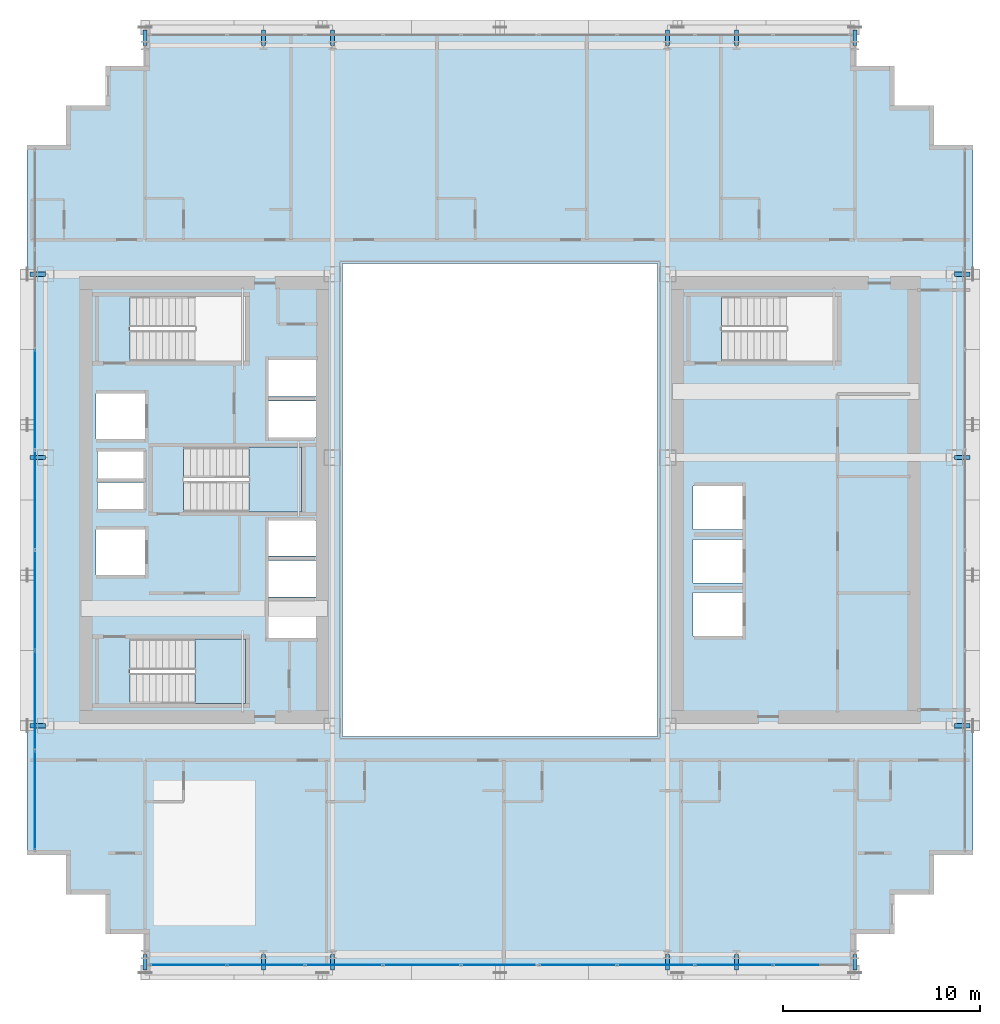
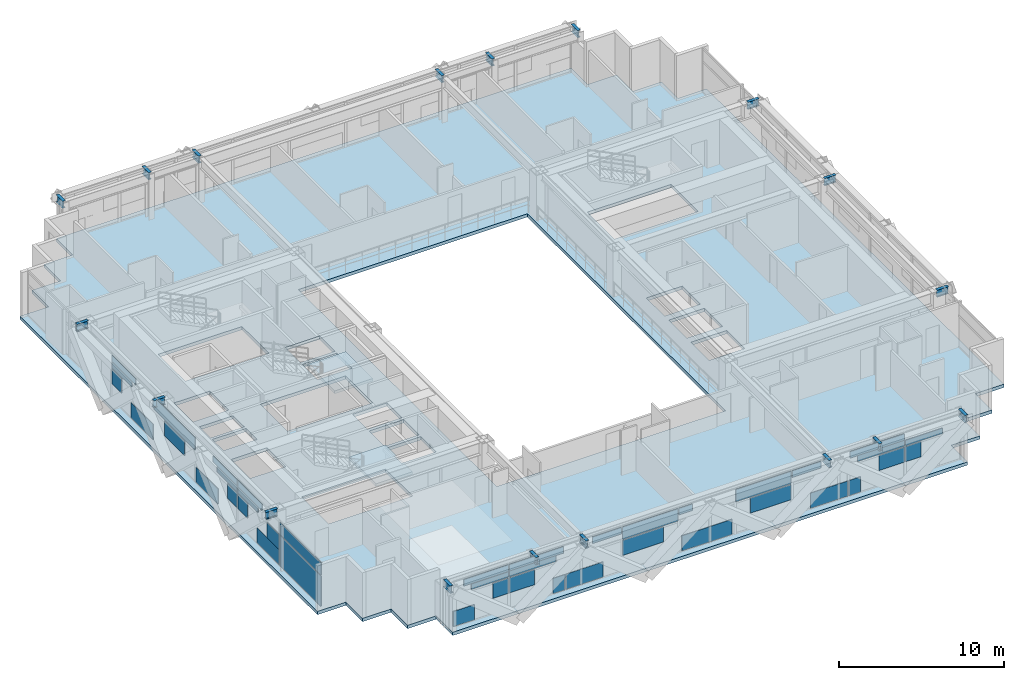
# One storey, part 23 of 35: 41 plates, 18 beams, 3 slabs, 4 elements without a shape of their own.
"""IFC4 building model written with IfcOpenShell, lengths in metres."""

from ifc_helpers import new_model, si_unit, direction, frame, origin, origin_2d, place, context, subcontext, project, spatial, polyline, rectangle, i_section, outline, extrude, source, transform, mapped, material, layer, layer_set, material_profile, profile_set, type_object, element, aggregate, save


model = new_model("IFC4")

# Units and contexts
model_context = context("Model", 3, precision=1e-05, world=origin(), true_north=direction((0.0, 1.0)))
body_context = subcontext(model_context, "Body", "Model", "MODEL_VIEW")
ifc_project = project(units=[si_unit("LENGTHUNIT", "METRE"), si_unit("AREAUNIT", "SQUARE_METRE"), si_unit("VOLUMEUNIT", "CUBIC_METRE"), si_unit("PLANEANGLEUNIT", "RADIAN"), si_unit("MASSUNIT", "GRAM", prefix="KILO")], contexts=[model_context])

# Site, building, storey
site_placement = place(None, origin())
site = spatial("IfcSite", under=ifc_project, at=site_placement, CompositionType="ELEMENT")
building_placement = place(site_placement, origin())
building = spatial("IfcBuilding", under=site, at=building_placement, Name="Ocotamira Hotel", CompositionType="ELEMENT")
storey_placement = place(building_placement, frame((0.0, 0.0, 115.199951171875)))
storey = spatial("IfcBuildingStorey", under=building, at=storey_placement, Name="L28", CompositionType="ELEMENT", Elevation=115.199951171875)

# Beams
ifc_material_1 = material(Name="Steel ASTM A992 Grade 50", Category="steel")
ifc_material_profile = material_profile(ifc_material_1, i_section(OverallWidth=0.2099609375, OverallDepth=0.537109375, WebThickness=0.010986328125, FlangeThickness=0.017333984375, FilletRadius=0.012939453125, at=origin_2d()), Name="W21X68")
ifc_profile_set = profile_set([ifc_material_profile], Name="Steel ASTM A992 Grade 50")
beam_type = type_object("IfcBeamType", Name="BM-SEC-W21X68", PredefinedType="JOIST", material=ifc_profile_set)
shared_shape_1 = source(origin(), body_context, "Body", "SweptSolid", [
    extrude(i_section(OverallWidth=0.2099609375, OverallDepth=0.537109375, WebThickness=0.010986328125, FlangeThickness=0.017333984375, FilletRadius=0.012939453125, at=origin_2d()), origin(), (0.0, 0.0, 1.0), 0.800048828125),
])
for number, where, z_axis, x_axis, name in (
    (1, (14.0, 2.949951171875, 3.091552734375), (0.0, -1.0, 0.0), (1.0, 0.0, 0.0), "L28 South Edge Header X14"),
    (2, (14.0, 49.050048828125, 3.091552734375), (0.0, 1.0, 0.0), (-1.0, 0.0, 0.0), "L28 North Edge Header X14"),
    (3, (20.0, 2.949951171875, 3.091552734375), (0.0, -1.0, 0.0), (1.0, 0.0, 0.0), "L28 South Edge Header X20"),
    (4, (20.0, 49.050048828125, 3.091552734375), (0.0, 1.0, 0.0), (-1.0, 0.0, 0.0), "L28 North Edge Header X20"),
    (5, (23.5, 2.949951171875, 3.091552734375), (0.0, -1.0, 0.0), (1.0, 0.0, 0.0), "L28 South Edge Header X23.5"),
    (6, (23.5, 49.050048828125, 3.091552734375), (0.0, 1.0, 0.0), (-1.0, 0.0, 0.0), "L28 North Edge Header X23.5"),
    (7, (40.5, 2.949951171875, 3.091552734375), (0.0, -1.0, 0.0), (1.0, 0.0, 0.0), "L28 South Edge Header X40.5"),
    (8, (40.5, 49.050048828125, 3.091552734375), (0.0, 1.0, 0.0), (-1.0, 0.0, 0.0), "L28 North Edge Header X40.5"),
    (9, (44.0, 2.949951171875, 3.091552734375), (0.0, -1.0, 0.0), (1.0, 0.0, 0.0), "L28 South Edge Header X44"),
    (10, (44.0, 49.050048828125, 3.091552734375), (0.0, 1.0, 0.0), (-1.0, 0.0, 0.0), "L28 North Edge Header X44"),
    (11, (50.0, 2.949951171875, 3.091552734375), (0.0, -1.0, 0.0), (1.0, 0.0, 0.0), "L28 South Edge Header X50"),
    (12, (50.0, 49.050048828125, 3.091552734375), (0.0, 1.0, 0.0), (-1.0, 0.0, 0.0), "L28 North Edge Header X50"),
    (13, (8.949951171875, 14.550048828125, 3.091552734375), (-1.0, 0.0, 0.0), (0.0, -1.0, 0.0), "L28 West Edge Header Y14.55"),
    (14, (55.050048828125, 14.550048828125, 3.091552734375), (1.0, 0.0, 0.0), (0.0, 1.0, 0.0), "L28 East Edge Header Y14.55"),
    (15, (8.949951171875, 28.14990234375, 3.091552734375), (-1.0, 0.0, 0.0), (0.0, -1.0, 0.0), "L28 West Edge Header Y28.15"),
    (16, (55.050048828125, 28.14990234375, 3.091552734375), (1.0, 0.0, 0.0), (0.0, 1.0, 0.0), "L28 East Edge Header Y28.15"),
    (17, (8.949951171875, 37.449951171875, 3.091552734375), (-1.0, 0.0, 0.0), (0.0, -1.0, 0.0), "L28 West Edge Header Y37.45"),
    (18, (55.050048828125, 37.449951171875, 3.091552734375), (1.0, 0.0, 0.0), (0.0, 1.0, 0.0), "L28 East Edge Header Y37.45"),
):
    element("IfcBeam", number, at=place(storey_placement, frame(where, z_axis=z_axis, x_axis=x_axis)), inside=storey, type_object=beam_type, Name=name, PredefinedType="JOIST", context=body_context, shape_type="MappedRepresentation", body=[
        mapped(shared_shape_1, transform((0.0, 0.0, 0.0), scale=1.0)),
    ])

# Stair, slab
ifc_material_2 = material(Name="Concrete C40/50", Category="concrete")
stair_type = type_object("IfcStairType", Name="ST-CORE-1560", PredefinedType="HALF_TURN_STAIR", material=ifc_material_2)
stair_1_placement = place(storey_placement, origin())
stair_1 = element("IfcStair", 19, at=stair_1_placement, inside=storey, type_object=stair_type, Name="L28 Exit Stair ST-1", PredefinedType="HALF_TURN_STAIR")
ifc_layer_1 = layer(ifc_material_2, 0.199951171875)
ifc_layer_set_1 = layer_set([ifc_layer_1], Name="Concrete C40/50")
slab_type_1 = type_object("IfcSlabType", Name="SLB-LAND-200", PredefinedType="LANDING", material=ifc_layer_set_1)
slab_1_placement = place(storey_placement, frame((0.0, 0.0, 1.60009765625)))
slab_1 = element("IfcSlab", 20, at=slab_1_placement, type_object=slab_type_1, Name="ST-1 landing 1", PredefinedType="LANDING", context=body_context, shape_type="SweptSolid", body=[
    extrude(outline(polyline([(16.530029296875, 15.669921875), (19.090087890625, 15.669921875), (19.090087890625, 18.949951171875), (16.530029296875, 18.949951171875), (16.530029296875, 15.669921875)])), origin(), (0.0, 0.0, 1.0), 0.199951171875),
])
aggregate(stair_1, [slab_1])

stair_2_placement = place(storey_placement, origin())
stair_2 = element("IfcStair", 21, at=stair_2_placement, inside=storey, type_object=stair_type, Name="L28 Exit Stair ST-3", PredefinedType="HALF_TURN_STAIR")
slab_2_placement = place(storey_placement, frame((0.0, 0.0, 1.60009765625)))
slab_2 = element("IfcSlab", 22, at=slab_2_placement, type_object=slab_type_1, Name="ST-3 landing 1", PredefinedType="LANDING", context=body_context, shape_type="SweptSolid", body=[
    extrude(outline(polyline([(19.260009765625, 25.39990234375), (21.919921875, 25.39990234375), (21.919921875, 28.679931640625), (19.260009765625, 28.679931640625), (19.260009765625, 25.39990234375)])), origin(), (0.0, 0.0, 1.0), 0.199951171875),
])
aggregate(stair_2, [slab_2])

# Slab
ifc_layer_2 = layer(ifc_material_2, 0.239990234375)
ifc_layer_set_2 = layer_set([ifc_layer_2], Name="Concrete C40/50")
slab_type_2 = type_object("IfcSlabType", Name="SLB-TYP-240", PredefinedType="FLOOR", material=ifc_layer_set_2)
slab_3_placement = place(storey_placement, frame((0.0, 0.0, -0.239990234375)))
element("IfcSlab", 23, at=slab_3_placement, inside=storey, type_object=slab_type_2, Name="L28 Structural Floor Slab", PredefinedType="FLOOR", context=body_context, shape_type="SweptSolid", body=[
    extrude(outline(polyline([(14.0, 2.0), (50.0, 2.0), (50.0, 4.0), (52.0, 4.0), (52.0, 6.0), (54.0, 6.0), (54.0, 8.0), (56.0, 8.0), (56.0, 44.0), (54.0, 44.0), (54.0, 46.0), (52.0, 46.0), (52.0, 48.0), (50.0, 48.0), (50.0, 50.0), (14.0, 50.0), (14.0, 48.0), (12.0, 48.0), (12.0, 46.0), (10.0, 46.0), (10.0, 44.0), (8.0, 44.0), (8.0, 8.0), (10.0, 8.0), (10.0, 6.0), (12.0, 6.0), (12.0, 4.0), (14.0, 4.0), (14.0, 2.0)]), holes=[polyline([(24.0, 14.0), (40.0, 14.0), (40.0, 38.0), (24.0, 38.0), (24.0, 14.0)]), polyline([(13.22998046875, 15.669921875), (19.090087890625, 15.669921875), (19.090087890625, 18.949951171875), (13.22998046875, 18.949951171875), (13.22998046875, 15.669921875)]), polyline([(13.22998046875, 33.050048828125), (19.090087890625, 33.050048828125), (19.090087890625, 36.330078125), (13.22998046875, 36.330078125), (13.22998046875, 33.050048828125)]), polyline([(15.9599609375, 25.39990234375), (21.919921875, 25.39990234375), (21.919921875, 28.679931640625), (15.9599609375, 28.679931640625), (15.9599609375, 25.39990234375)]), polyline([(43.22998046875, 33.050048828125), (49.090087890625, 33.050048828125), (49.090087890625, 36.330078125), (43.22998046875, 36.330078125), (43.22998046875, 33.050048828125)]), polyline([(41.800048828125, 19.10009765625), (44.300048828125, 19.10009765625), (44.300048828125, 21.300048828125), (41.800048828125, 21.300048828125), (41.800048828125, 19.10009765625)]), polyline([(41.800048828125, 21.800048828125), (44.300048828125, 21.800048828125), (44.300048828125, 24.0), (41.800048828125, 24.0), (41.800048828125, 21.800048828125)]), polyline([(41.800048828125, 24.5), (44.300048828125, 24.5), (44.300048828125, 26.699951171875), (41.800048828125, 26.699951171875), (41.800048828125, 24.5)]), polyline([(20.25, 19.0), (22.659912109375, 19.0), (22.659912109375, 20.85009765625), (20.25, 20.85009765625), (20.25, 19.0)]), polyline([(20.25, 21.080078125), (22.659912109375, 21.080078125), (22.659912109375, 22.929931640625), (20.25, 22.929931640625), (20.25, 21.080078125)]), polyline([(20.25, 23.159912109375), (22.659912109375, 23.159912109375), (22.659912109375, 24.9599609375), (20.25, 24.9599609375), (20.25, 23.159912109375)]), polyline([(20.25, 29.179931640625), (22.659912109375, 29.179931640625), (22.659912109375, 31.030029296875), (20.25, 31.030029296875), (20.25, 29.179931640625)]), polyline([(20.25, 31.260009765625), (22.659912109375, 31.260009765625), (22.659912109375, 33.110107421875), (20.25, 33.110107421875), (20.25, 31.260009765625)]), polyline([(11.5, 22.199951171875), (14.0, 22.199951171875), (14.0, 24.5), (11.5, 24.5), (11.5, 22.199951171875)]), polyline([(11.5, 29.10009765625), (14.0, 29.10009765625), (14.0, 31.39990234375), (11.5, 31.39990234375), (11.5, 29.10009765625)]), polyline([(11.580078125, 25.550048828125), (13.919921875, 25.550048828125), (13.919921875, 26.89990234375), (11.580078125, 26.89990234375), (11.580078125, 25.550048828125)]), polyline([(11.580078125, 27.10009765625), (13.919921875, 27.10009765625), (13.919921875, 28.449951171875), (11.580078125, 28.449951171875), (11.580078125, 27.10009765625)])]), origin(), (0.0, 0.0, 1.0), 0.239990234375),
])

# Curtain wall, plate
ifc_material_3 = material(Name="Anodised pale-metal aluminium and solar glass", Category="aluminium")
ifc_layer_3 = layer(ifc_material_3, 0.179931640625)
ifc_layer_set_3 = layer_set([ifc_layer_3], Name="Anodised pale-metal aluminium and solar glass")
curtain_wall_type = type_object("IfcCurtainWallType", Name="CW-SYS3-Z2", PredefinedType="NOTDEFINED", material=ifc_layer_set_3)
curtain_wall_1_placement = place(storey_placement, origin())
curtain_wall_1 = element("IfcCurtainWall", 24, at=curtain_wall_1_placement, inside=storey, type_object=curtain_wall_type, Name="L28 Curtain Wall CW-3 CW-L28-W", PredefinedType="NOTDEFINED")
ifc_material_4 = material(Name="Double-silver low-E insulated solar glass", Category="glass")
ifc_layer_4 = layer(ifc_material_4, 0.031982421875)
ifc_layer_set_4 = layer_set([ifc_layer_4], Name="Double-silver low-E insulated solar glass")
plate_type = type_object("IfcPlateType", Name="CWP-VISION-32", PredefinedType="CURTAIN_PANEL", material=ifc_layer_set_4)
shared_shape_2 = source(origin(), body_context, "Body", "SweptSolid", [
    extrude(rectangle(XDim=4.9658203125, YDim=0.031982421875, at=origin_2d()), origin(), (0.0, 0.0, 1.0), 2.237548828125),
])
plate_1_placement = place(storey_placement, frame((8.419921875, 10.762939453125, 0.0751953125), z_axis=(0.0, 0.0, 1.0), x_axis=(0.0, 1.0, 0.0)))
plate_1 = element("IfcPlate", 25, at=plate_1_placement, type_object=plate_type, Name="CW-3 panel 1.1", PredefinedType="CURTAIN_PANEL", context=body_context, shape_type="MappedRepresentation", body=[
    mapped(shared_shape_2, transform((0.0, 0.0, 0.0), scale=1.0)),
])

# Curtain wall, plates
curtain_wall_2_placement = place(storey_placement, origin())
curtain_wall_2 = element("IfcCurtainWall", 26, at=curtain_wall_2_placement, inside=storey, type_object=curtain_wall_type, Name="L28 Curtain Wall CW-3 CW-L28-S1", PredefinedType="NOTDEFINED")
shared_shape_3 = source(origin(), body_context, "Body", "SweptSolid", [
    extrude(rectangle(XDim=3.87548828125, YDim=0.031982421875, at=origin_2d()), origin(), (0.0, 0.0, 1.0), 0.8974609375),
])
plate_2_placement = place(storey_placement, frame((28.04443359375, 2.419921875, 2.387451171875), z_axis=(0.0, 0.0, 1.0), x_axis=(1.0, 0.0, 0.0)))
plate_2 = element("IfcPlate", 27, at=plate_2_placement, type_object=plate_type, Name="CW-3 panel 4.2", PredefinedType="CURTAIN_PANEL", context=body_context, shape_type="MappedRepresentation", body=[
    mapped(shared_shape_3, transform((0.0, 0.0, 0.0), scale=1.0)),
])
plate_3_placement = place(storey_placement, frame((35.95556640625, 2.419921875, 2.387451171875), z_axis=(0.0, 0.0, 1.0), x_axis=(1.0, 0.0, 0.0)))
plate_3 = element("IfcPlate", 28, at=plate_3_placement, type_object=plate_type, Name="CW-3 panel 6.2", PredefinedType="CURTAIN_PANEL", context=body_context, shape_type="MappedRepresentation", body=[
    mapped(shared_shape_3, transform((0.0, 0.0, 0.0), scale=1.0)),
])

# Plate
shared_shape_4 = source(origin(), body_context, "Body", "SweptSolid", [
    extrude(rectangle(XDim=4.9658203125, YDim=0.031982421875, at=origin_2d()), origin(), (0.0, 0.0, 1.0), 0.8974609375),
])
plate_4_placement = place(storey_placement, frame((8.419921875, 10.762939453125, 2.387451171875), z_axis=(0.0, 0.0, 1.0), x_axis=(0.0, 1.0, 0.0)))
plate_4 = element("IfcPlate", 29, at=plate_4_placement, type_object=plate_type, Name="CW-3 panel 1.2", PredefinedType="CURTAIN_PANEL", context=body_context, shape_type="MappedRepresentation", body=[
    mapped(shared_shape_4, transform((0.0, 0.0, 0.0), scale=1.0)),
])

shared_shape_5 = source(origin(), body_context, "Body", "SweptSolid", [
    extrude(rectangle(XDim=2.404296875, YDim=0.031982421875, at=origin_2d()), origin(), (0.0, 0.0, 1.0), 1.118896484375),
])
plate_5_placement = place(storey_placement, frame((8.419921875, 26.0, 1.19384765625), z_axis=(0.0, 0.0, 1.0), x_axis=(0.0, 1.0, 0.0)))
plate_5 = element("IfcPlate", 30, at=plate_5_placement, type_object=plate_type, Name="CW-3 panel 4.1.1", PredefinedType="CURTAIN_PANEL", context=body_context, shape_type="MappedRepresentation", body=[
    mapped(shared_shape_5, transform((0.0, 0.0, 0.0), scale=1.0)),
])

shared_shape_6 = source(origin(), body_context, "Body", "SweptSolid", [
    extrude(rectangle(XDim=3.104248046875, YDim=0.031982421875, at=origin_2d()), origin(), (0.0, 0.0, 1.0), 0.4716796875),
])
plate_6_placement = place(storey_placement, frame((16.5634765625, 2.419921875, 2.813232421875), z_axis=(0.0, 0.0, 1.0), x_axis=(1.0, 0.0, 0.0)))
plate_6 = element("IfcPlate", 31, at=plate_6_placement, type_object=plate_type, Name="CW-3 panel 1.2.1", PredefinedType="CURTAIN_PANEL", context=body_context, shape_type="MappedRepresentation", body=[
    mapped(shared_shape_6, transform((0.0, 0.0, 0.0), scale=1.0)),
])

shared_shape_7 = source(origin(), body_context, "Body", "SweptSolid", [
    extrude(rectangle(XDim=2.572021484375, YDim=0.031982421875, at=origin_2d()), origin(), (0.0, 0.0, 1.0), 0.39453125),
])
plate_7_placement = place(storey_placement, frame((16.82958984375, 2.419921875, 2.3876953125), z_axis=(0.0, 0.0, 1.0), x_axis=(1.0, 0.0, 0.0)))
plate_7 = element("IfcPlate", 32, at=plate_7_placement, type_object=plate_type, Name="CW-3 panel 1.2.2", PredefinedType="CURTAIN_PANEL", context=body_context, shape_type="MappedRepresentation", body=[
    mapped(shared_shape_7, transform((0.0, 0.0, 0.0), scale=1.0)),
])

plate_8_placement = place(storey_placement, frame((47.17041015625, 2.419921875, 2.3876953125), z_axis=(0.0, 0.0, 1.0), x_axis=(1.0, 0.0, 0.0)))
plate_8 = element("IfcPlate", 33, at=plate_8_placement, type_object=plate_type, Name="CW-3 panel 9.2.1", PredefinedType="CURTAIN_PANEL", context=body_context, shape_type="MappedRepresentation", body=[
    mapped(shared_shape_7, transform((0.0, 0.0, 0.0), scale=1.0)),
])

shared_shape_8 = source(origin(), body_context, "Body", "SweptSolid", [
    extrude(rectangle(XDim=3.260986328125, YDim=0.031982421875, at=origin_2d()), origin(), (0.0, 0.0, 1.0), 0.42578125),
])
plate_9_placement = place(storey_placement, frame((19.826171875, 2.419921875, 2.387451171875), z_axis=(0.0, 0.0, 1.0), x_axis=(1.0, 0.0, 0.0)))
plate_9 = element("IfcPlate", 34, at=plate_9_placement, type_object=plate_type, Name="CW-3 panel 2.2.1", PredefinedType="CURTAIN_PANEL", context=body_context, shape_type="MappedRepresentation", body=[
    mapped(shared_shape_8, transform((0.0, 0.0, 0.0), scale=1.0)),
])

plate_10_placement = place(storey_placement, frame((44.173828125, 2.419921875, 2.387451171875), z_axis=(0.0, 0.0, 1.0), x_axis=(1.0, 0.0, 0.0)))
plate_10 = element("IfcPlate", 35, at=plate_10_placement, type_object=plate_type, Name="CW-3 panel 8.2.2", PredefinedType="CURTAIN_PANEL", context=body_context, shape_type="MappedRepresentation", body=[
    mapped(shared_shape_8, transform((0.0, 0.0, 0.0), scale=1.0)),
])

shared_shape_9 = source(origin(), body_context, "Body", "SweptSolid", [
    extrude(rectangle(XDim=3.793212890625, YDim=0.031982421875, at=origin_2d()), origin(), (0.0, 0.0, 1.0), 0.4716796875),
])
plate_11_placement = place(storey_placement, frame((20.09228515625, 2.419921875, 2.813232421875), z_axis=(0.0, 0.0, 1.0), x_axis=(1.0, 0.0, 0.0)))
plate_11 = element("IfcPlate", 36, at=plate_11_placement, type_object=plate_type, Name="CW-3 panel 2.2.2", PredefinedType="CURTAIN_PANEL", context=body_context, shape_type="MappedRepresentation", body=[
    mapped(shared_shape_9, transform((0.0, 0.0, 0.0), scale=1.0)),
])

plate_12_placement = place(storey_placement, frame((43.90771484375, 2.419921875, 2.813232421875), z_axis=(0.0, 0.0, 1.0), x_axis=(1.0, 0.0, 0.0)))
plate_12 = element("IfcPlate", 37, at=plate_12_placement, type_object=plate_type, Name="CW-3 panel 8.2.1", PredefinedType="CURTAIN_PANEL", context=body_context, shape_type="MappedRepresentation", body=[
    mapped(shared_shape_9, transform((0.0, 0.0, 0.0), scale=1.0)),
])

shared_shape_10 = source(origin(), body_context, "Body", "SweptSolid", [
    extrude(rectangle(XDim=2.015380859375, YDim=0.031982421875, at=origin_2d()), origin(), (0.0, 0.0, 1.0), 0.4716796875),
])
plate_13_placement = place(storey_placement, frame((25.018798828125, 2.419921875, 2.813232421875), z_axis=(0.0, 0.0, 1.0), x_axis=(1.0, 0.0, 0.0)))
plate_13 = element("IfcPlate", 38, at=plate_13_placement, type_object=plate_type, Name="CW-3 panel 3.2.1", PredefinedType="CURTAIN_PANEL", context=body_context, shape_type="MappedRepresentation", body=[
    mapped(shared_shape_10, transform((0.0, 0.0, 0.0), scale=1.0)),
])

plate_14_placement = place(storey_placement, frame((38.981201171875, 2.419921875, 2.813232421875), z_axis=(0.0, 0.0, 1.0), x_axis=(1.0, 0.0, 0.0)))
plate_14 = element("IfcPlate", 39, at=plate_14_placement, type_object=plate_type, Name="CW-3 panel 7.2.1", PredefinedType="CURTAIN_PANEL", context=body_context, shape_type="MappedRepresentation", body=[
    mapped(shared_shape_10, transform((0.0, 0.0, 0.0), scale=1.0)),
])

shared_shape_11 = source(origin(), body_context, "Body", "SweptSolid", [
    extrude(rectangle(XDim=0.926513671875, YDim=0.031982421875, at=origin_2d()), origin(), (0.0, 0.0, 1.0), 0.4716796875),
])
plate_15_placement = place(storey_placement, frame((30.525390625, 2.419921875, 2.813232421875), z_axis=(0.0, 0.0, 1.0), x_axis=(1.0, 0.0, 0.0)))
plate_15 = element("IfcPlate", 40, at=plate_15_placement, type_object=plate_type, Name="CW-3 panel 5.2.1", PredefinedType="CURTAIN_PANEL", context=body_context, shape_type="MappedRepresentation", body=[
    mapped(shared_shape_11, transform((0.0, 0.0, 0.0), scale=1.0)),
])

shared_shape_12 = source(origin(), body_context, "Body", "SweptSolid", [
    extrude(rectangle(XDim=2.908203125, YDim=0.031982421875, at=origin_2d()), origin(), (0.0, 0.0, 1.0), 0.44873046875),
])
plate_16_placement = place(storey_placement, frame((8.419921875, 16.877197265625, 2.836181640625), z_axis=(0.0, 0.0, 1.0), x_axis=(0.0, 1.0, 0.0)))
plate_16 = element("IfcPlate", 41, at=plate_16_placement, type_object=plate_type, Name="CW-3 panel 2.2.1", PredefinedType="CURTAIN_PANEL", context=body_context, shape_type="MappedRepresentation", body=[
    mapped(shared_shape_12, transform((0.0, 0.0, 0.0), scale=1.0)),
])

shared_shape_13 = source(origin(), body_context, "Body", "SweptSolid", [
    extrude(rectangle(XDim=2.4326171875, YDim=0.031982421875, at=origin_2d()), origin(), (0.0, 0.0, 1.0), 0.414306640625),
])
plate_17_placement = place(storey_placement, frame((8.419921875, 17.115234375, 2.3876953125), z_axis=(0.0, 0.0, 1.0), x_axis=(0.0, 1.0, 0.0)))
plate_17 = element("IfcPlate", 42, at=plate_17_placement, type_object=plate_type, Name="CW-3 panel 2.2.2", PredefinedType="CURTAIN_PANEL", context=body_context, shape_type="MappedRepresentation", body=[
    mapped(shared_shape_13, transform((0.0, 0.0, 0.0), scale=1.0)),
])

shared_shape_14 = source(origin(), body_context, "Body", "SweptSolid", [
    extrude(rectangle(XDim=2.4228515625, YDim=0.031982421875, at=origin_2d()), origin(), (0.0, 0.0, 1.0), 0.414306640625),
])
plate_18_placement = place(storey_placement, frame((8.419921875, 19.622802734375, 2.3876953125), z_axis=(0.0, 0.0, 1.0), x_axis=(0.0, 1.0, 0.0)))
plate_18 = element("IfcPlate", 43, at=plate_18_placement, type_object=plate_type, Name="CW-3 panel 3.2.1", PredefinedType="CURTAIN_PANEL", context=body_context, shape_type="MappedRepresentation", body=[
    mapped(shared_shape_14, transform((0.0, 0.0, 0.0), scale=1.0)),
])

plate_19_placement = place(storey_placement, frame((8.419921875, 32.377197265625, 2.3876953125), z_axis=(0.0, 0.0, 1.0), x_axis=(0.0, 1.0, 0.0)))
plate_19 = element("IfcPlate", 44, at=plate_19_placement, type_object=plate_type, Name="CW-3 panel 5.2.2", PredefinedType="CURTAIN_PANEL", context=body_context, shape_type="MappedRepresentation", body=[
    mapped(shared_shape_14, transform((0.0, 0.0, 0.0), scale=1.0)),
])

shared_shape_15 = source(origin(), body_context, "Body", "SweptSolid", [
    extrude(rectangle(XDim=2.898681640625, YDim=0.031982421875, at=origin_2d()), origin(), (0.0, 0.0, 1.0), 0.44873046875),
])
plate_20_placement = place(storey_placement, frame((8.419921875, 19.860595703125, 2.836181640625), z_axis=(0.0, 0.0, 1.0), x_axis=(0.0, 1.0, 0.0)))
plate_20 = element("IfcPlate", 45, at=plate_20_placement, type_object=plate_type, Name="CW-3 panel 3.2.2", PredefinedType="CURTAIN_PANEL", context=body_context, shape_type="MappedRepresentation", body=[
    mapped(shared_shape_15, transform((0.0, 0.0, 0.0), scale=1.0)),
])

plate_21_placement = place(storey_placement, frame((8.419921875, 32.139404296875, 2.836181640625), z_axis=(0.0, 0.0, 1.0), x_axis=(0.0, 1.0, 0.0)))
plate_21 = element("IfcPlate", 46, at=plate_21_placement, type_object=plate_type, Name="CW-3 panel 5.2.1", PredefinedType="CURTAIN_PANEL", context=body_context, shape_type="MappedRepresentation", body=[
    mapped(shared_shape_15, transform((0.0, 0.0, 0.0), scale=1.0)),
])

shared_shape_16 = source(origin(), body_context, "Body", "SweptSolid", [
    extrude(rectangle(XDim=5.005615234375, YDim=0.031982421875, at=origin_2d()), origin(), (0.0, 0.0, 1.0), 0.8974609375),
])
plate_22_placement = place(storey_placement, frame((8.419921875, 26.0, 2.387451171875), z_axis=(0.0, 0.0, 1.0), x_axis=(0.0, 1.0, 0.0)))
plate_22 = element("IfcPlate", 47, at=plate_22_placement, type_object=plate_type, Name="CW-3 panel 4.2", PredefinedType="CURTAIN_PANEL", context=body_context, shape_type="MappedRepresentation", body=[
    mapped(shared_shape_16, transform((0.0, 0.0, 0.0), scale=1.0)),
])

shared_shape_17 = source(origin(), body_context, "Body", "SweptSolid", [
    extrude(rectangle(XDim=1.47509765625, YDim=0.031982421875, at=origin_2d()), origin(), (0.0, 0.0, 1.0), 1.11865234375),
])
plate_23_placement = place(storey_placement, frame((15.017578125, 2.419921875, 0.0751953125), z_axis=(0.0, 0.0, 1.0), x_axis=(1.0, 0.0, 0.0)))
plate_23 = element("IfcPlate", 48, at=plate_23_placement, type_object=plate_type, Name="CW-3 panel 1.1.1", PredefinedType="CURTAIN_PANEL", context=body_context, shape_type="MappedRepresentation", body=[
    mapped(shared_shape_17, transform((0.0, 0.0, 0.0), scale=1.0)),
])

shared_shape_18 = source(origin(), body_context, "Body", "SweptSolid", [
    extrude(rectangle(XDim=1.079833984375, YDim=0.031982421875, at=origin_2d()), origin(), (0.0, 0.0, 1.0), 1.118896484375),
])
plate_24_placement = place(storey_placement, frame((17.57568359375, 2.419921875, 1.19384765625), z_axis=(0.0, 0.0, 1.0), x_axis=(1.0, 0.0, 0.0)))
plate_24 = element("IfcPlate", 49, at=plate_24_placement, type_object=plate_type, Name="CW-3 panel 1.1.2", PredefinedType="CURTAIN_PANEL", context=body_context, shape_type="MappedRepresentation", body=[
    mapped(shared_shape_18, transform((0.0, 0.0, 0.0), scale=1.0)),
])

plate_25_placement = place(storey_placement, frame((46.42431640625, 2.419921875, 1.19384765625), z_axis=(0.0, 0.0, 1.0), x_axis=(1.0, 0.0, 0.0)))
plate_25 = element("IfcPlate", 50, at=plate_25_placement, type_object=plate_type, Name="CW-3 panel 9.1.1", PredefinedType="CURTAIN_PANEL", context=body_context, shape_type="MappedRepresentation", body=[
    mapped(shared_shape_18, transform((0.0, 0.0, 0.0), scale=1.0)),
])

shared_shape_19 = source(origin(), body_context, "Body", "SweptSolid", [
    extrude(rectangle(XDim=1.768798828125, YDim=0.031982421875, at=origin_2d()), origin(), (0.0, 0.0, 1.0), 1.118896484375),
])
plate_26_placement = place(storey_placement, frame((19.080078125, 2.419921875, 1.19384765625), z_axis=(0.0, 0.0, 1.0), x_axis=(1.0, 0.0, 0.0)))
plate_26 = element("IfcPlate", 51, at=plate_26_placement, type_object=plate_type, Name="CW-3 panel 2.1.1", PredefinedType="CURTAIN_PANEL", context=body_context, shape_type="MappedRepresentation", body=[
    mapped(shared_shape_19, transform((0.0, 0.0, 0.0), scale=1.0)),
])

plate_27_placement = place(storey_placement, frame((44.919921875, 2.419921875, 1.19384765625), z_axis=(0.0, 0.0, 1.0), x_axis=(1.0, 0.0, 0.0)))
plate_27 = element("IfcPlate", 52, at=plate_27_placement, type_object=plate_type, Name="CW-3 panel 8.1.2", PredefinedType="CURTAIN_PANEL", context=body_context, shape_type="MappedRepresentation", body=[
    mapped(shared_shape_19, transform((0.0, 0.0, 0.0), scale=1.0)),
])

shared_shape_20 = source(origin(), body_context, "Body", "SweptSolid", [
    extrude(rectangle(XDim=0.826171875, YDim=0.031982421875, at=origin_2d()), origin(), (0.0, 0.0, 1.0), 1.11865234375),
])
plate_28_placement = place(storey_placement, frame((21.658203125, 2.419921875, 0.0751953125), z_axis=(0.0, 0.0, 1.0), x_axis=(1.0, 0.0, 0.0)))
plate_28 = element("IfcPlate", 53, at=plate_28_placement, type_object=plate_type, Name="CW-3 panel 2.1.2", PredefinedType="CURTAIN_PANEL", context=body_context, shape_type="MappedRepresentation", body=[
    mapped(shared_shape_20, transform((0.0, 0.0, 0.0), scale=1.0)),
])

plate_29_placement = place(storey_placement, frame((42.341796875, 2.419921875, 0.0751953125), z_axis=(0.0, 0.0, 1.0), x_axis=(1.0, 0.0, 0.0)))
plate_29 = element("IfcPlate", 54, at=plate_29_placement, type_object=plate_type, Name="CW-3 panel 8.1.1", PredefinedType="CURTAIN_PANEL", context=body_context, shape_type="MappedRepresentation", body=[
    mapped(shared_shape_20, transform((0.0, 0.0, 0.0), scale=1.0)),
])

shared_shape_21 = source(origin(), body_context, "Body", "SweptSolid", [
    extrude(rectangle(XDim=2.60400390625, YDim=0.031982421875, at=origin_2d()), origin(), (0.0, 0.0, 1.0), 1.11865234375),
])
plate_30_placement = place(storey_placement, frame((23.453125, 2.419921875, 0.0751953125), z_axis=(0.0, 0.0, 1.0), x_axis=(1.0, 0.0, 0.0)))
plate_30 = element("IfcPlate", 55, at=plate_30_placement, type_object=plate_type, Name="CW-3 panel 3.1.1", PredefinedType="CURTAIN_PANEL", context=body_context, shape_type="MappedRepresentation", body=[
    mapped(shared_shape_21, transform((0.0, 0.0, 0.0), scale=1.0)),
])

plate_31_placement = place(storey_placement, frame((40.546875, 2.419921875, 0.0751953125), z_axis=(0.0, 0.0, 1.0), x_axis=(1.0, 0.0, 0.0)))
plate_31 = element("IfcPlate", 56, at=plate_31_placement, type_object=plate_type, Name="CW-3 panel 7.1.1", PredefinedType="CURTAIN_PANEL", context=body_context, shape_type="MappedRepresentation", body=[
    mapped(shared_shape_21, transform((0.0, 0.0, 0.0), scale=1.0)),
])

shared_shape_22 = source(origin(), body_context, "Body", "SweptSolid", [
    extrude(rectangle(XDim=2.857666015625, YDim=0.031982421875, at=origin_2d()), origin(), (0.0, 0.0, 1.0), 1.118896484375),
])
plate_32_placement = place(storey_placement, frame((27.535400390625, 2.419921875, 1.19384765625), z_axis=(0.0, 0.0, 1.0), x_axis=(1.0, 0.0, 0.0)))
plate_32 = element("IfcPlate", 57, at=plate_32_placement, type_object=plate_type, Name="CW-3 panel 4.1.1", PredefinedType="CURTAIN_PANEL", context=body_context, shape_type="MappedRepresentation", body=[
    mapped(shared_shape_22, transform((0.0, 0.0, 0.0), scale=1.0)),
])

plate_33_placement = place(storey_placement, frame((36.464599609375, 2.419921875, 1.19384765625), z_axis=(0.0, 0.0, 1.0), x_axis=(1.0, 0.0, 0.0)))
plate_33 = element("IfcPlate", 58, at=plate_33_placement, type_object=plate_type, Name="CW-3 panel 6.1.1", PredefinedType="CURTAIN_PANEL", context=body_context, shape_type="MappedRepresentation", body=[
    mapped(shared_shape_22, transform((0.0, 0.0, 0.0), scale=1.0)),
])

shared_shape_23 = source(origin(), body_context, "Body", "SweptSolid", [
    extrude(rectangle(XDim=3.510009765625, YDim=0.031982421875, at=origin_2d()), origin(), (0.0, 0.0, 1.0), 1.11865234375),
])
plate_34_placement = place(storey_placement, frame((32.0, 2.419921875, 0.0751953125), z_axis=(0.0, 0.0, 1.0), x_axis=(1.0, 0.0, 0.0)))
plate_34 = element("IfcPlate", 59, at=plate_34_placement, type_object=plate_type, Name="CW-3 panel 5.1.1", PredefinedType="CURTAIN_PANEL", context=body_context, shape_type="MappedRepresentation", body=[
    mapped(shared_shape_23, transform((0.0, 0.0, 0.0), scale=1.0)),
])

aggregate(curtain_wall_2, [plate_23, plate_24, plate_6, plate_7, plate_26, plate_28, plate_9, plate_11, plate_30, plate_13, plate_32, plate_2, plate_34, plate_15, plate_33, plate_3, plate_31, plate_14, plate_29, plate_27, plate_12, plate_10, plate_25, plate_8])

shared_shape_24 = source(origin(), body_context, "Body", "SweptSolid", [
    extrude(rectangle(XDim=2.6728515625, YDim=0.031982421875, at=origin_2d()), origin(), (0.0, 0.0, 1.0), 1.11865234375),
])
plate_35_placement = place(storey_placement, frame((8.419921875, 14.662109375, 0.0751953125), z_axis=(0.0, 0.0, 1.0), x_axis=(0.0, 1.0, 0.0)))
plate_35 = element("IfcPlate", 60, at=plate_35_placement, type_object=plate_type, Name="CW-3 panel 2.1.1", PredefinedType="CURTAIN_PANEL", context=body_context, shape_type="MappedRepresentation", body=[
    mapped(shared_shape_24, transform((0.0, 0.0, 0.0), scale=1.0)),
])

shared_shape_25 = source(origin(), body_context, "Body", "SweptSolid", [
    extrude(rectangle(XDim=1.48681640625, YDim=0.031982421875, at=origin_2d()), origin(), (0.0, 0.0, 1.0), 1.118896484375),
])
plate_36_placement = place(storey_placement, frame((8.419921875, 14.069091796875, 1.19384765625), z_axis=(0.0, 0.0, 1.0), x_axis=(0.0, 1.0, 0.0)))
plate_36 = element("IfcPlate", 61, at=plate_36_placement, type_object=plate_type, Name="CW-3 panel 2.1.2", PredefinedType="CURTAIN_PANEL", context=body_context, shape_type="MappedRepresentation", body=[
    mapped(shared_shape_25, transform((0.0, 0.0, 0.0), scale=1.0)),
])

shared_shape_26 = source(origin(), body_context, "Body", "SweptSolid", [
    extrude(rectangle(XDim=1.1669921875, YDim=0.031982421875, at=origin_2d()), origin(), (0.0, 0.0, 1.0), 1.118896484375),
])
plate_37_placement = place(storey_placement, frame((8.419921875, 17.748046875, 1.19384765625), z_axis=(0.0, 0.0, 1.0), x_axis=(0.0, 1.0, 0.0)))
plate_37 = element("IfcPlate", 62, at=plate_37_placement, type_object=plate_type, Name="CW-3 panel 2.1.3", PredefinedType="CURTAIN_PANEL", context=body_context, shape_type="MappedRepresentation", body=[
    mapped(shared_shape_26, transform((0.0, 0.0, 0.0), scale=1.0)),
])

shared_shape_27 = source(origin(), body_context, "Body", "SweptSolid", [
    extrude(rectangle(XDim=1.1572265625, YDim=0.031982421875, at=origin_2d()), origin(), (0.0, 0.0, 1.0), 1.118896484375),
])
plate_38_placement = place(storey_placement, frame((8.419921875, 18.989990234375, 1.19384765625), z_axis=(0.0, 0.0, 1.0), x_axis=(0.0, 1.0, 0.0)))
plate_38 = element("IfcPlate", 63, at=plate_38_placement, type_object=plate_type, Name="CW-3 panel 3.1.1", PredefinedType="CURTAIN_PANEL", context=body_context, shape_type="MappedRepresentation", body=[
    mapped(shared_shape_27, transform((0.0, 0.0, 0.0), scale=1.0)),
])

plate_39_placement = place(storey_placement, frame((8.419921875, 33.010009765625, 1.19384765625), z_axis=(0.0, 0.0, 1.0), x_axis=(0.0, 1.0, 0.0)))
plate_39 = element("IfcPlate", 64, at=plate_39_placement, type_object=plate_type, Name="CW-3 panel 5.1.2", PredefinedType="CURTAIN_PANEL", context=body_context, shape_type="MappedRepresentation", body=[
    mapped(shared_shape_27, transform((0.0, 0.0, 0.0), scale=1.0)),
])

shared_shape_28 = source(origin(), body_context, "Body", "SweptSolid", [
    extrude(rectangle(XDim=2.6826171875, YDim=0.031982421875, at=origin_2d()), origin(), (0.0, 0.0, 1.0), 1.11865234375),
])
plate_40_placement = place(storey_placement, frame((8.419921875, 22.075927734375, 0.0751953125), z_axis=(0.0, 0.0, 1.0), x_axis=(0.0, 1.0, 0.0)))
plate_40 = element("IfcPlate", 65, at=plate_40_placement, type_object=plate_type, Name="CW-3 panel 3.1.2", PredefinedType="CURTAIN_PANEL", context=body_context, shape_type="MappedRepresentation", body=[
    mapped(shared_shape_28, transform((0.0, 0.0, 0.0), scale=1.0)),
])

plate_41_placement = place(storey_placement, frame((8.419921875, 29.924072265625, 0.0751953125), z_axis=(0.0, 0.0, 1.0), x_axis=(0.0, 1.0, 0.0)))
plate_41 = element("IfcPlate", 66, at=plate_41_placement, type_object=plate_type, Name="CW-3 panel 5.1.1", PredefinedType="CURTAIN_PANEL", context=body_context, shape_type="MappedRepresentation", body=[
    mapped(shared_shape_28, transform((0.0, 0.0, 0.0), scale=1.0)),
])

aggregate(curtain_wall_1, [plate_1, plate_4, plate_35, plate_36, plate_37, plate_16, plate_17, plate_38, plate_40, plate_18, plate_20, plate_5, plate_22, plate_41, plate_39, plate_21, plate_19])

save(model, "model.ifc")
